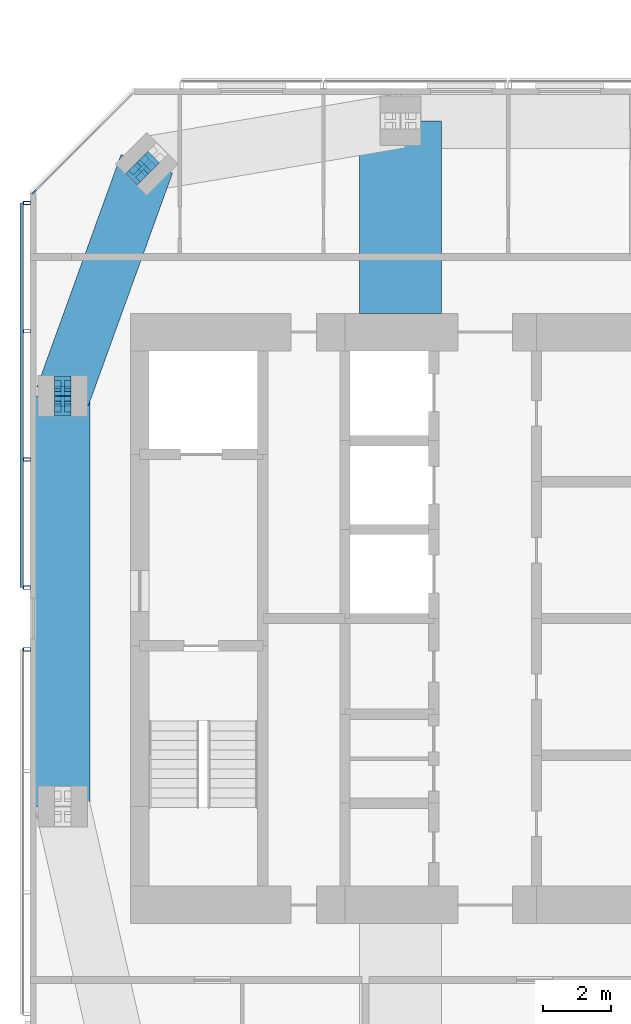
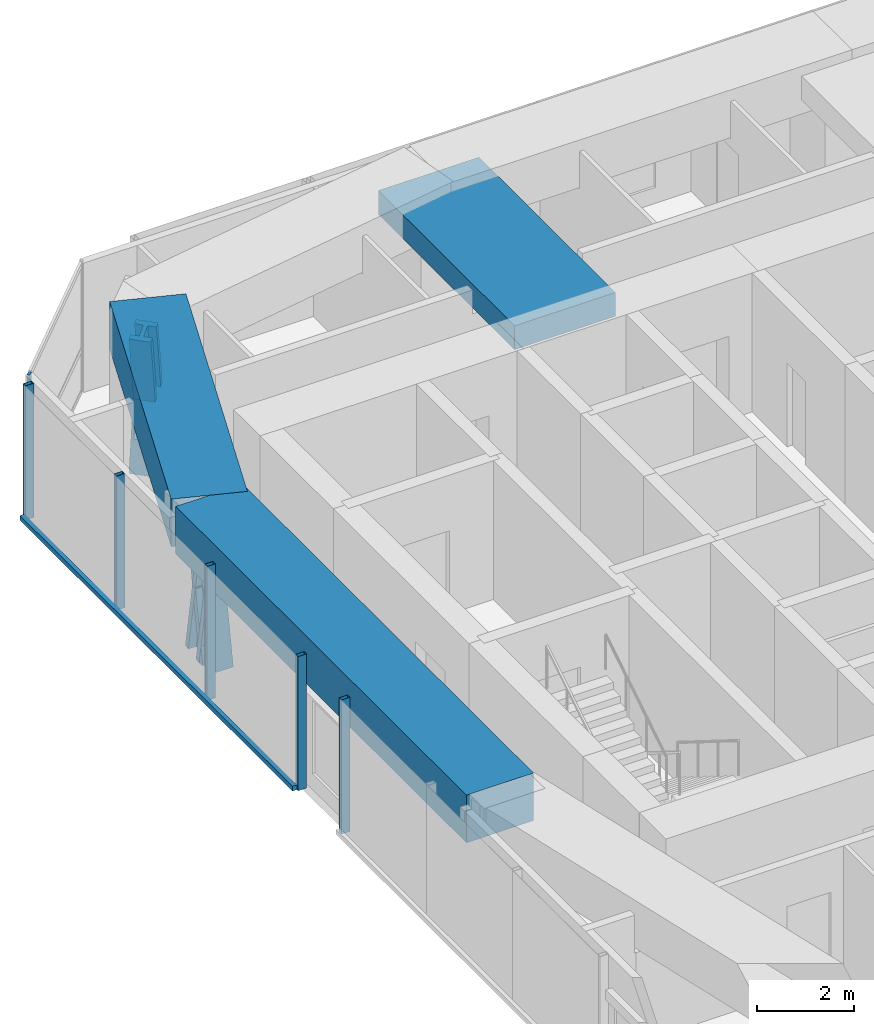
# One storey, part 6 of 20: 13 members, 3 beams, 3 elements without a shape of their own.
"""IFC4 building model written with IfcOpenShell, lengths in metres."""

from ifc_helpers import new_model, si_unit, direction, frame, origin, origin_2d, place, context, subcontext, project, spatial, rectangle, hollow_rectangle, i_section, extrude, material, material_profile, profile_set, type_object, element, aggregate, save


model = new_model("IFC4")

# Units and contexts
model_context = context("Model", 3, precision=1e-05, world=origin(), true_north=direction((0.0, 1.0)))
body_context = subcontext(model_context, "Body", "Model", "MODEL_VIEW")
ifc_project = project(units=[si_unit("LENGTHUNIT", "METRE"), si_unit("AREAUNIT", "SQUARE_METRE"), si_unit("VOLUMEUNIT", "CUBIC_METRE"), si_unit("PLANEANGLEUNIT", "RADIAN"), si_unit("MASSUNIT", "GRAM", prefix="KILO")], contexts=[model_context])

# Site, building, storey
site_placement = place(None, origin())
site = spatial("IfcSite", under=ifc_project, at=site_placement, CompositionType="ELEMENT")
building_placement = place(site_placement, origin())
building = spatial("IfcBuilding", under=site, at=building_placement, Name="Jalousie Tower", CompositionType="ELEMENT")
storey_placement = place(building_placement, frame((0.0, 0.0, 242.449951171875)))
storey = spatial("IfcBuildingStorey", under=building, at=storey_placement, Name="L66", CompositionType="ELEMENT", Elevation=242.449951171875)

# Curtain wall, member
ifc_material_1 = material(Name="Aluminium curtain wall", Category="aluminium")
curtain_wall_type_1 = type_object("IfcCurtainWallType", Name="CORNER WINDOW WALL", PredefinedType="USERDEFINED", material=ifc_material_1)
curtain_wall_1_placement = place(storey_placement, origin())
curtain_wall_1 = element("IfcCurtainWall", 1, at=curtain_wall_1_placement, inside=storey, type_object=curtain_wall_type_1, Name="Corner Window Wall L66 6", ObjectType="CORNER WINDOW WALL", PredefinedType="USERDEFINED")
ifc_material_2 = material(Name="Aluminium mullion", Category="aluminium")
ifc_material_profile_1 = material_profile(ifc_material_2, rectangle(XDim=0.06005859375, YDim=0.14990234375, at=origin_2d()), Name="MULLION 60x150")
ifc_profile_set_1 = profile_set([ifc_material_profile_1], Name="Aluminium mullion")
member_type_1 = type_object("IfcMemberType", Name="CORNER WINDOW WALL MULLION", PredefinedType="MULLION", material=ifc_profile_set_1)
member_1_placement = place(storey_placement, frame((16.90869140625, 30.969970703125, 0.0), z_axis=(0.0, 0.0, 1.0), x_axis=(0.707106781187, -0.707106781187, 0.0)))
member_1 = element("IfcMember", 2, at=member_1_placement, type_object=member_type_1, Name="CW-C mullion 2", PredefinedType="MULLION", context=body_context, shape_type="SweptSolid", body=[
    extrude(rectangle(XDim=0.06005859375, YDim=0.14990234375, at=origin_2d()), origin(), (0.0, 0.0, 1.0), 3.260009765625),
])
aggregate(curtain_wall_1, [member_1])

# Members
ifc_material_3 = material(Name="Steel ASTM A992 Grade 50", Category="steel")
ifc_material_profile_2 = material_profile(ifc_material_3, i_section(OverallWidth=0.472412109375, OverallDepth=0.5791015625, WebThickness=0.094970703125, FlangeThickness=0.1298828125, at=origin_2d()), Name="W14X808")
ifc_profile_set_2 = profile_set([ifc_material_profile_2], Name="Steel ASTM A992 Grade 50")
member_type_2 = type_object("IfcMemberType", Name="PERIMETER BRACE W14X808", PredefinedType="BRACE", material=ifc_profile_set_2)
for number, where, z_axis, x_axis, name in (
    (3, (20.20703125, 31.79296875, 1.150146484375), (-0.138579250682, -0.138716051522, 0.980588419435), (0.707455539091, -0.706757851183, 0.0), "Perimeter brace 12 L66 part 2"),
    (4, (19.959716796875, 31.54541015625, -0.599853515625), (0.138579250682, 0.138716051522, 0.980588419435), (-0.707455539091, 0.706757851183, 0.0), "Perimeter brace 12 L66 part 3"),
):
    element("IfcMember", number, at=place(storey_placement, frame(where, z_axis=z_axis, x_axis=x_axis)), inside=storey, type_object=member_type_2, Name=name, PredefinedType="BRACE", context=body_context, shape_type="SweptSolid", body=[
        extrude(i_section(OverallWidth=0.472412109375, OverallDepth=0.5791015625, WebThickness=0.094970703125, FlangeThickness=0.1298828125, at=origin_2d()), origin(), (0.0, 0.0, 1.0), 1.78466796875),
    ])
for number, where, z_axis, x_axis, name in (
    (5, (17.75, 24.699951171875, -0.599853515625), (0.0, 0.168990530437, 0.98561767467), (-1.0, 0.0, 0.0), "Perimeter brace 13 L66 part 1"),
    (6, (17.75, 25.0, 1.150146484375), (0.0, 0.168990530437, 0.98561767467), (-1.0, 0.0, 0.0), "Perimeter brace 13 L66 part 2"),
    (7, (17.75, 25.300048828125, -0.599853515625), (0.0, -0.168990530437, 0.98561767467), (1.0, 0.0, 0.0), "Perimeter brace 13 L66 part 3"),
    (8, (17.75, 25.0, 1.150146484375), (0.0, -0.168990530437, 0.98561767467), (1.0, 0.0, 0.0), "Perimeter brace 13 L66 part 4"),
):
    element("IfcMember", number, at=place(storey_placement, frame(where, z_axis=z_axis, x_axis=x_axis)), inside=storey, type_object=member_type_2, Name=name, PredefinedType="BRACE", context=body_context, shape_type="SweptSolid", body=[
        extrude(i_section(OverallWidth=0.472412109375, OverallDepth=0.5791015625, WebThickness=0.094970703125, FlangeThickness=0.1298828125, at=origin_2d()), origin(), (0.0, 0.0, 1.0), 1.775634765625),
    ])

# Beams
ifc_material_4 = material(Name="Concrete f'c 40 MPa", Category="concrete")
ifc_material_profile_3 = material_profile(ifc_material_4, rectangle(XDim=1.60009765625, YDim=1.199951171875, at=origin_2d()), Name="RC 1600x1200")
ifc_profile_set_3 = profile_set([ifc_material_profile_3], Name="Concrete f'c 40 MPa")
beam_type_1 = type_object("IfcBeamType", Name="RC BEAM 1600x1200", PredefinedType="BEAM", material=ifc_profile_set_3)
beam_1_placement = place(storey_placement, frame((20.20703125, 31.79296875, 2.900146484375), z_axis=(-0.340136081654, -0.940376225751, 0.0), x_axis=(0.940376225751, -0.340136081654, 0.0)))
element("IfcBeam", 9, at=beam_1_placement, inside=storey, type_object=beam_type_1, Name="Edge band beam 12-13 under L67", PredefinedType="BEAM", context=body_context, shape_type="SweptSolid", body=[
    extrude(rectangle(XDim=1.60009765625, YDim=1.199951171875, at=origin_2d()), origin(), (0.0, 0.0, 1.0), 7.2236328125),
])
beam_2_placement = place(storey_placement, frame((17.75, 25.0, 2.900146484375), z_axis=(0.0, -1.0, 0.0), x_axis=(1.0, 0.0, 0.0)))
element("IfcBeam", 10, at=beam_2_placement, inside=storey, type_object=beam_type_1, Name="Edge band beam 13-14 under L67", PredefinedType="BEAM", context=body_context, shape_type="SweptSolid", body=[
    extrude(rectangle(XDim=1.60009765625, YDim=1.199951171875, at=origin_2d()), origin(), (0.0, 0.0, 1.0), 12.0),
])
ifc_material_5 = material(Name="Concrete f'c 40 MPa", Category="concrete")
ifc_material_profile_4 = material_profile(ifc_material_5, rectangle(XDim=2.39990234375, YDim=0.60009765625, at=origin_2d()), Name="RC 2400x600")
ifc_profile_set_4 = profile_set([ifc_material_profile_4], Name="Concrete f'c 40 MPa")
beam_type_2 = type_object("IfcBeamType", Name="RC BEAM 2400x600", PredefinedType="BEAM", material=ifc_profile_set_4)
beam_3_placement = place(storey_placement, frame((27.625, 33.050048828125, 2.9599609375), z_axis=(0.0, -1.0, 0.0), x_axis=(1.0, 0.0, 0.0)))
element("IfcBeam", 11, at=beam_3_placement, inside=storey, type_object=beam_type_2, Name="Floor band beam under L67", PredefinedType="BEAM", context=body_context, shape_type="SweptSolid", body=[
    extrude(rectangle(XDim=2.39990234375, YDim=0.60009765625, at=origin_2d()), origin(), (0.0, 0.0, 1.0), 5.625),
])

# Curtain wall, members
ifc_material_6 = material(Name="Perforated aluminium sheet", Category="aluminium")
curtain_wall_type_2 = type_object("IfcCurtainWallType", Name="SOLAR SCREEN SS-2", PredefinedType="USERDEFINED", material=ifc_material_6)
curtain_wall_2_placement = place(storey_placement, origin())
curtain_wall_2 = element("IfcCurtainWall", 12, at=curtain_wall_2_placement, inside=storey, type_object=curtain_wall_type_2, Name="Solar screen L66", ObjectType="SOLAR SCREEN SS-2", PredefinedType="USERDEFINED")
ifc_material_7 = material(Name="Steel ASTM A500 Grade C", Category="steel")
ifc_material_profile_5 = material_profile(ifc_material_7, hollow_rectangle(XDim=0.1015625, YDim=0.203125, WallThickness=0.0078125, at=origin_2d()), Name="HSS8X4X5/16")
ifc_profile_set_5 = profile_set([ifc_material_profile_5], Name="Steel ASTM A500 Grade C")
member_type_3 = type_object("IfcMemberType", Name="SOLAR SCREEN SS-2 MULLION", PredefinedType="MULLION", material=ifc_profile_set_5)
member_2_placement = place(storey_placement, frame((16.703369140625, 30.648681640625, -0.119873046875), z_axis=(0.0, 0.0, 1.0), x_axis=(0.0, -1.0, 0.0)))
member_2 = element("IfcMember", 13, at=member_2_placement, type_object=member_type_3, Name="SS2 post 1", PredefinedType="MULLION", context=body_context, shape_type="SweptSolid", body=[
    extrude(hollow_rectangle(XDim=0.1015625, YDim=0.203125, WallThickness=0.0078125, at=origin_2d()), origin(), (0.0, 0.0, 1.0), 3.3798828125),
])
member_3_placement = place(storey_placement, frame((16.703369140625, 26.899169921875, -0.119873046875), z_axis=(0.0, 0.0, 1.0), x_axis=(0.0, -1.0, 0.0)))
member_3 = element("IfcMember", 14, at=member_3_placement, type_object=member_type_3, Name="SS2 post 2", PredefinedType="MULLION", context=body_context, shape_type="SweptSolid", body=[
    extrude(hollow_rectangle(XDim=0.1015625, YDim=0.203125, WallThickness=0.0078125, at=origin_2d()), origin(), (0.0, 0.0, 1.0), 3.3798828125),
])
member_4_placement = place(storey_placement, frame((16.703369140625, 23.149658203125, -0.119873046875), z_axis=(0.0, 0.0, 1.0), x_axis=(0.0, -1.0, 0.0)))
member_4 = element("IfcMember", 15, at=member_4_placement, type_object=member_type_3, Name="SS2 post 3", PredefinedType="MULLION", context=body_context, shape_type="SweptSolid", body=[
    extrude(hollow_rectangle(XDim=0.1015625, YDim=0.203125, WallThickness=0.0078125, at=origin_2d()), origin(), (0.0, 0.0, 1.0), 3.3798828125),
])
member_5_placement = place(storey_placement, frame((16.703369140625, 19.39990234375, -0.119873046875), z_axis=(0.0, 0.0, 1.0), x_axis=(0.0, -1.0, 0.0)))
member_5 = element("IfcMember", 16, at=member_5_placement, type_object=member_type_3, Name="SS2 post 4", PredefinedType="MULLION", context=body_context, shape_type="SweptSolid", body=[
    extrude(hollow_rectangle(XDim=0.1015625, YDim=0.203125, WallThickness=0.0078125, at=origin_2d()), origin(), (0.0, 0.0, 1.0), 3.3798828125),
])

# Curtain wall, member
curtain_wall_3_placement = place(storey_placement, origin())
curtain_wall_3 = element("IfcCurtainWall", 17, at=curtain_wall_3_placement, inside=storey, type_object=curtain_wall_type_2, Name="Solar screen L66", ObjectType="SOLAR SCREEN SS-2", PredefinedType="USERDEFINED")
member_6_placement = place(storey_placement, frame((16.703369140625, 17.60009765625, -0.119873046875), z_axis=(0.0, 0.0, 1.0), x_axis=(0.0, -1.0, 0.0)))
member_6 = element("IfcMember", 18, at=member_6_placement, type_object=member_type_3, Name="SS2 post 1", PredefinedType="MULLION", context=body_context, shape_type="SweptSolid", body=[
    extrude(hollow_rectangle(XDim=0.1015625, YDim=0.203125, WallThickness=0.0078125, at=origin_2d()), origin(), (0.0, 0.0, 1.0), 3.3798828125),
])
aggregate(curtain_wall_3, [member_6])

# Member
ifc_material_8 = material(Name="Extruded aluminium screen rail", Category="aluminium")
ifc_material_profile_6 = material_profile(ifc_material_8, rectangle(XDim=0.1015625, YDim=0.1201171875, at=origin_2d()), Name="RAIL 102x120")
ifc_profile_set_6 = profile_set([ifc_material_profile_6], Name="Extruded aluminium screen rail")
member_type_4 = type_object("IfcMemberType", Name="SOLAR SCREEN SS-2 TRANSOM", PredefinedType="USERDEFINED", material=ifc_profile_set_6)
member_7_placement = place(storey_placement, frame((16.551025390625, 30.648681640625, -0.06005859375), z_axis=(0.0, -1.0, 0.0), x_axis=(1.0, 0.0, 0.0)))
member_7 = element("IfcMember", 19, at=member_7_placement, type_object=member_type_4, Name="SS2 rail", ObjectType="TRANSOM", PredefinedType="USERDEFINED", context=body_context, shape_type="SweptSolid", body=[
    extrude(rectangle(XDim=0.1015625, YDim=0.1201171875, at=origin_2d()), origin(), (0.0, 0.0, 1.0), 11.248779296875),
])

aggregate(curtain_wall_2, [member_2, member_3, member_4, member_5, member_7])

save(model, "model.ifc")
